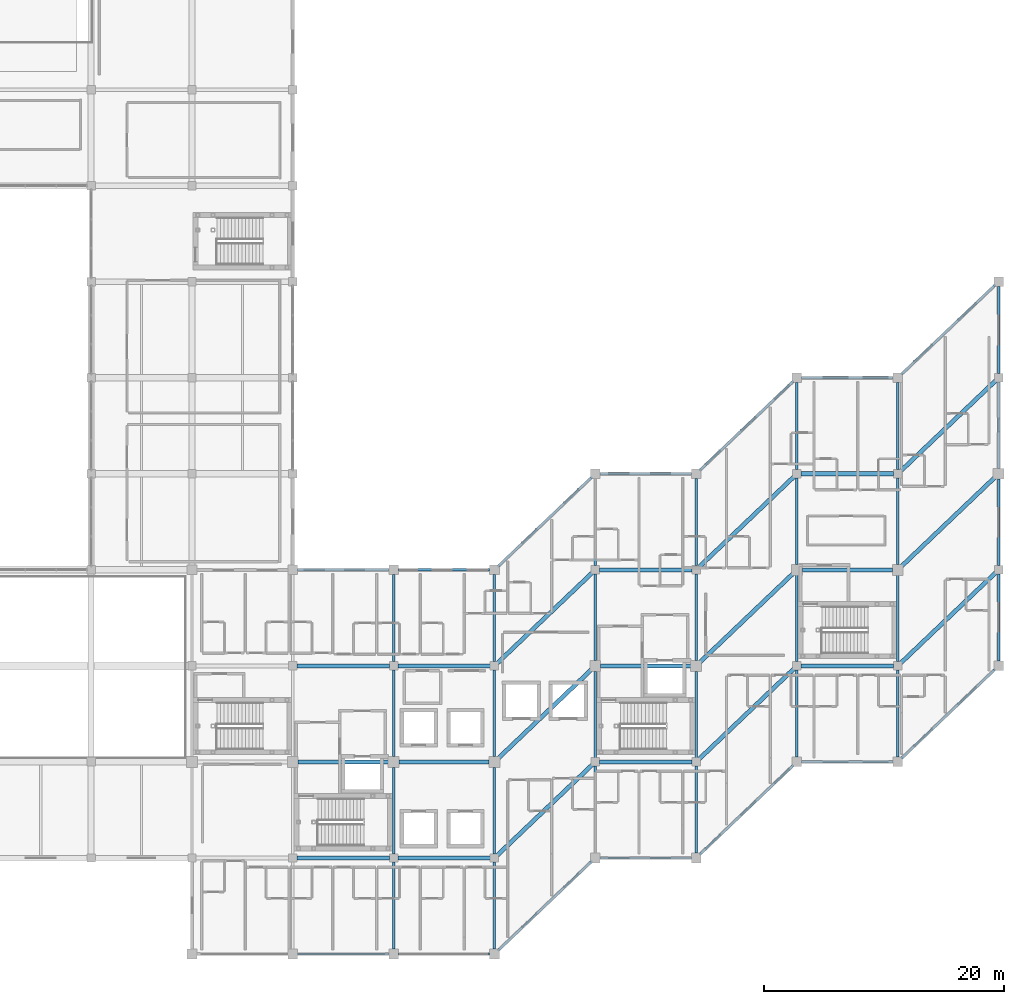
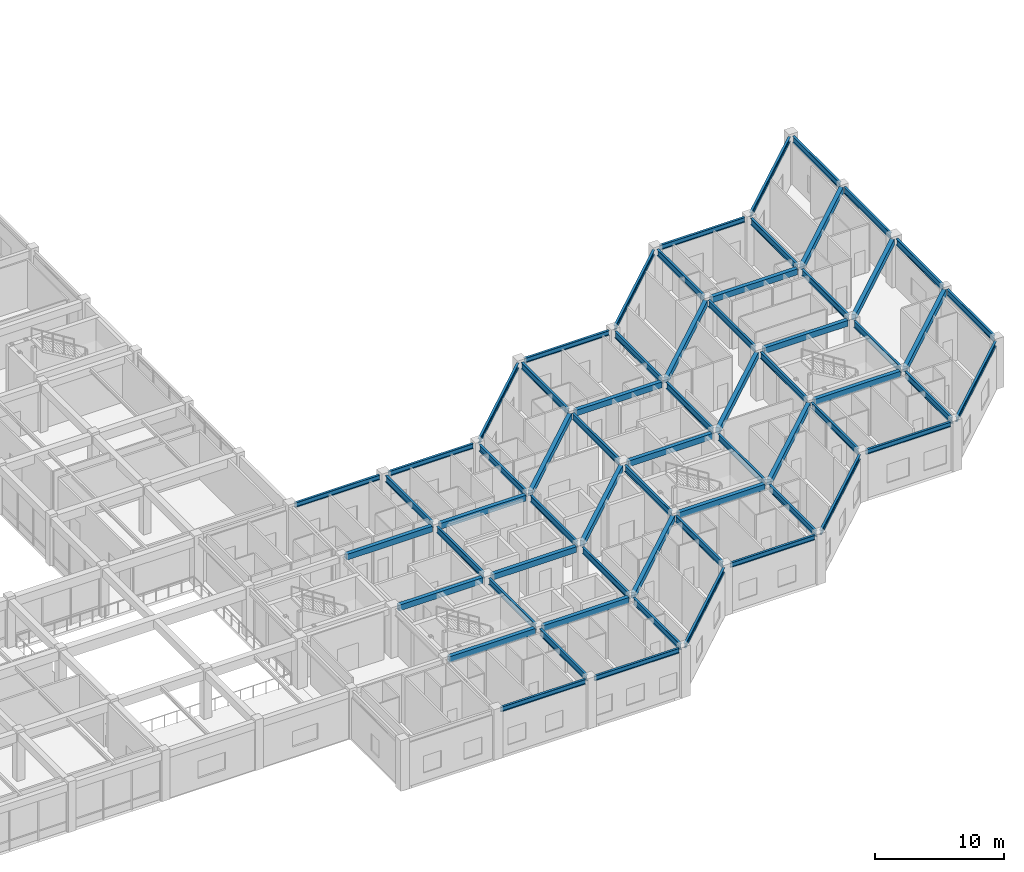
# One storey, part 41 of 76: 63 beams.
"""IFC4 building model written with IfcOpenShell, lengths in metres."""

from ifc_helpers import new_model, si_unit, direction, frame, origin, origin_2d, place, context, subcontext, project, spatial, rectangle, i_section, extrude, material, material_profile, profile_set, type_object, element, save


model = new_model("IFC4")

# Units and contexts
model_context = context("Model", 3, precision=1e-05, world=origin(), true_north=direction((0.0, 1.0)))
body_context = subcontext(model_context, "Body", "Model", "MODEL_VIEW")
ifc_project = project(units=[si_unit("LENGTHUNIT", "METRE"), si_unit("AREAUNIT", "SQUARE_METRE"), si_unit("VOLUMEUNIT", "CUBIC_METRE"), si_unit("PLANEANGLEUNIT", "RADIAN"), si_unit("MASSUNIT", "GRAM", prefix="KILO")], contexts=[model_context])

# Site, building, storey
site_placement = place(None, origin())
site = spatial("IfcSite", under=ifc_project, at=site_placement, CompositionType="ELEMENT")
building_placement = place(site_placement, origin())
building = spatial("IfcBuilding", under=site, at=building_placement, Name="Naruveol Harbour Congress Hotel", CompositionType="ELEMENT")
storey_placement = place(building_placement, frame((0.0, 0.0, 11.39990234375)))
storey = spatial("IfcBuildingStorey", under=building, at=storey_placement, Name="L02", CompositionType="ELEMENT", Elevation=11.39990234375)

# Beams
ifc_material_1 = material(Name="Concrete C40/50", Category="concrete")
ifc_material_profile_1 = material_profile(ifc_material_1, rectangle(XDim=0.35009765625, YDim=0.550048828125, at=origin_2d()), Name="RCB-350x550")
ifc_profile_set_1 = profile_set([ifc_material_profile_1], Name="Concrete C40/50")
beam_type_1 = type_object("IfcBeamType", Name="RC SECONDARY BEAM 350X550", PredefinedType="JOIST", material=ifc_profile_set_1)
beam_1_placement = place(storey_placement, frame((126.345947265625, 8.0, 4.30517578125), z_axis=(1.0, 0.0, 0.0), x_axis=(0.0, 1.0, 0.0)))
element("IfcBeam", 1, at=beam_1_placement, inside=storey, type_object=beam_type_1, Name="Hotel chord beam L03 CJ1", PredefinedType="JOIST", context=body_context, shape_type="SweptSolid", body=[
    extrude(rectangle(XDim=0.35009765625, YDim=0.550048828125, at=origin_2d()), origin(), (0.0, 0.0, 1.0), 7.7080078125),
])
beam_2_placement = place(storey_placement, frame((126.446044921875, 16.0, 4.30517578125), z_axis=(1.0, 0.0, 0.0), x_axis=(0.0, 1.0, 0.0)))
element("IfcBeam", 2, at=beam_2_placement, inside=storey, type_object=beam_type_1, Name="Hotel chord beam L03 CJ1", PredefinedType="JOIST", context=body_context, shape_type="SweptSolid", body=[
    extrude(rectangle(XDim=0.35009765625, YDim=0.550048828125, at=origin_2d()), origin(), (0.0, 0.0, 1.0), 7.508056640625),
])
for number, where, z_axis, x_axis, name in (
    (3, (126.345947265625, 24.0, 4.30517578125), (1.0, 0.0, 0.0), (0.0, 1.0, 0.0), "Hotel chord beam L03 CJ1"),
    (4, (134.74609375, 8.0, 4.30517578125), (1.0, 0.0, 0.0), (0.0, 1.0, 0.0), "Hotel chord beam L03 CJ1"),
):
    element("IfcBeam", number, at=place(storey_placement, frame(where, z_axis=z_axis, x_axis=x_axis)), inside=storey, type_object=beam_type_1, Name=name, PredefinedType="JOIST", context=body_context, shape_type="SweptSolid", body=[
        extrude(rectangle(XDim=0.35009765625, YDim=0.550048828125, at=origin_2d()), origin(), (0.0, 0.0, 1.0), 7.7080078125),
    ])
beam_3_placement = place(storey_placement, frame((134.845947265625, 16.0, 4.30517578125), z_axis=(1.0, 0.0, 0.0), x_axis=(0.0, 1.0, 0.0)))
element("IfcBeam", 5, at=beam_3_placement, inside=storey, type_object=beam_type_1, Name="Hotel chord beam L03 CJ1", PredefinedType="JOIST", context=body_context, shape_type="SweptSolid", body=[
    extrude(rectangle(XDim=0.35009765625, YDim=0.550048828125, at=origin_2d()), origin(), (0.0, 0.0, 1.0), 7.508056640625),
])
beam_4_placement = place(storey_placement, frame((134.74609375, 24.0, 4.30517578125), z_axis=(1.0, 0.0, 0.0), x_axis=(0.0, 1.0, 0.0)))
element("IfcBeam", 6, at=beam_4_placement, inside=storey, type_object=beam_type_1, Name="Hotel chord beam L03 CJ1", PredefinedType="JOIST", context=body_context, shape_type="SweptSolid", body=[
    extrude(rectangle(XDim=0.35009765625, YDim=0.550048828125, at=origin_2d()), origin(), (0.0, 0.0, 1.0), 7.7080078125),
])
beam_5_placement = place(storey_placement, frame((143.050537109375, 8.238525390625, 4.30517578125), z_axis=(0.724130479369, 0.689662996578, 0.0), x_axis=(-0.689662996578, 0.724130479369, 0.0)))
element("IfcBeam", 7, at=beam_5_placement, inside=storey, type_object=beam_type_1, Name="Hotel chord beam L03 CJ1", PredefinedType="JOIST", context=body_context, shape_type="SweptSolid", body=[
    extrude(rectangle(XDim=0.35009765625, YDim=0.550048828125, at=origin_2d()), origin(), (0.0, 0.0, 1.0), 10.908203125),
])
beam_6_placement = place(storey_placement, frame((143.123046875, 16.3076171875, 4.30517578125), z_axis=(0.724133593293, 0.689659727013, 0.0), x_axis=(-0.689659727013, 0.724133593293, 0.0)))
element("IfcBeam", 8, at=beam_6_placement, inside=storey, type_object=beam_type_1, Name="Hotel chord beam L03 CJ1", PredefinedType="JOIST", context=body_context, shape_type="SweptSolid", body=[
    extrude(rectangle(XDim=0.35009765625, YDim=0.550048828125, at=origin_2d()), origin(), (0.0, 0.0, 1.0), 10.707763671875),
])
beam_7_placement = place(storey_placement, frame((143.050537109375, 24.238525390625, 4.30517578125), z_axis=(0.724130479369, 0.689662996578, 0.0), x_axis=(-0.689662996578, 0.724130479369, 0.0)))
element("IfcBeam", 9, at=beam_7_placement, inside=storey, type_object=beam_type_1, Name="Hotel chord beam L03 CJ1", PredefinedType="JOIST", context=body_context, shape_type="SweptSolid", body=[
    extrude(rectangle(XDim=0.35009765625, YDim=0.550048828125, at=origin_2d()), origin(), (0.0, 0.0, 1.0), 10.908203125),
])
beam_8_placement = place(storey_placement, frame((151.5458984375, 16.0, 4.30517578125), z_axis=(1.0, 0.0, 0.0), x_axis=(0.0, 1.0, 0.0)))
element("IfcBeam", 10, at=beam_8_placement, inside=storey, type_object=beam_type_1, Name="Hotel chord beam L03 CJ1", PredefinedType="JOIST", context=body_context, shape_type="SweptSolid", body=[
    extrude(rectangle(XDim=0.35009765625, YDim=0.550048828125, at=origin_2d()), origin(), (0.0, 0.0, 1.0), 7.7080078125),
])
beam_9_placement = place(storey_placement, frame((151.64599609375, 24.0, 4.30517578125), z_axis=(1.0, 0.0, 0.0), x_axis=(0.0, 1.0, 0.0)))
element("IfcBeam", 11, at=beam_9_placement, inside=storey, type_object=beam_type_1, Name="Hotel chord beam L03 CJ1", PredefinedType="JOIST", context=body_context, shape_type="SweptSolid", body=[
    extrude(rectangle(XDim=0.35009765625, YDim=0.550048828125, at=origin_2d()), origin(), (0.0, 0.0, 1.0), 7.508056640625),
])
beam_10_placement = place(storey_placement, frame((151.5458984375, 32.0, 4.30517578125), z_axis=(1.0, 0.0, 0.0), x_axis=(0.0, 1.0, 0.0)))
element("IfcBeam", 12, at=beam_10_placement, inside=storey, type_object=beam_type_1, Name="Hotel chord beam L03 CJ1", PredefinedType="JOIST", context=body_context, shape_type="SweptSolid", body=[
    extrude(rectangle(XDim=0.35009765625, YDim=0.550048828125, at=origin_2d()), origin(), (0.0, 0.0, 1.0), 7.7080078125),
])
beam_11_placement = place(storey_placement, frame((159.8505859375, 16.238525390625, 4.30517578125), z_axis=(0.724130479369, 0.689662996578, 0.0), x_axis=(-0.689662996578, 0.724130479369, 0.0)))
element("IfcBeam", 13, at=beam_11_placement, inside=storey, type_object=beam_type_1, Name="Hotel chord beam L03 CJ1", PredefinedType="JOIST", context=body_context, shape_type="SweptSolid", body=[
    extrude(rectangle(XDim=0.35009765625, YDim=0.550048828125, at=origin_2d()), origin(), (0.0, 0.0, 1.0), 10.908203125),
])
beam_12_placement = place(storey_placement, frame((159.923095703125, 24.3076171875, 4.30517578125), z_axis=(0.724133593293, 0.689659727013, 0.0), x_axis=(-0.689659727013, 0.724133593293, 0.0)))
element("IfcBeam", 14, at=beam_12_placement, inside=storey, type_object=beam_type_1, Name="Hotel chord beam L03 CJ1", PredefinedType="JOIST", context=body_context, shape_type="SweptSolid", body=[
    extrude(rectangle(XDim=0.35009765625, YDim=0.550048828125, at=origin_2d()), origin(), (0.0, 0.0, 1.0), 10.707763671875),
])
beam_13_placement = place(storey_placement, frame((159.8505859375, 32.238525390625, 4.30517578125), z_axis=(0.724130479369, 0.689662996578, 0.0), x_axis=(-0.689662996578, 0.724130479369, 0.0)))
element("IfcBeam", 15, at=beam_13_placement, inside=storey, type_object=beam_type_1, Name="Hotel chord beam L03 CJ1", PredefinedType="JOIST", context=body_context, shape_type="SweptSolid", body=[
    extrude(rectangle(XDim=0.35009765625, YDim=0.550048828125, at=origin_2d()), origin(), (0.0, 0.0, 1.0), 10.908203125),
])
beam_14_placement = place(storey_placement, frame((168.345947265625, 24.0, 4.30517578125), z_axis=(1.0, 0.0, 0.0), x_axis=(0.0, 1.0, 0.0)))
element("IfcBeam", 16, at=beam_14_placement, inside=storey, type_object=beam_type_1, Name="Hotel chord beam L03 CJ1", PredefinedType="JOIST", context=body_context, shape_type="SweptSolid", body=[
    extrude(rectangle(XDim=0.35009765625, YDim=0.550048828125, at=origin_2d()), origin(), (0.0, 0.0, 1.0), 7.7080078125),
])
beam_15_placement = place(storey_placement, frame((168.446044921875, 32.0, 4.30517578125), z_axis=(1.0, 0.0, 0.0), x_axis=(0.0, 1.0, 0.0)))
element("IfcBeam", 17, at=beam_15_placement, inside=storey, type_object=beam_type_1, Name="Hotel chord beam L03 CJ1", PredefinedType="JOIST", context=body_context, shape_type="SweptSolid", body=[
    extrude(rectangle(XDim=0.35009765625, YDim=0.550048828125, at=origin_2d()), origin(), (0.0, 0.0, 1.0), 7.508056640625),
])
beam_16_placement = place(storey_placement, frame((168.345947265625, 40.0, 4.30517578125), z_axis=(1.0, 0.0, 0.0), x_axis=(0.0, 1.0, 0.0)))
element("IfcBeam", 18, at=beam_16_placement, inside=storey, type_object=beam_type_1, Name="Hotel chord beam L03 CJ1", PredefinedType="JOIST", context=body_context, shape_type="SweptSolid", body=[
    extrude(rectangle(XDim=0.35009765625, YDim=0.550048828125, at=origin_2d()), origin(), (0.0, 0.0, 1.0), 7.7080078125),
])
beam_17_placement = place(storey_placement, frame((176.650634765625, 24.238525390625, 4.30517578125), z_axis=(0.724119833693, 0.689674174123, 0.0), x_axis=(-0.689674174123, 0.724119833693, 0.0)))
element("IfcBeam", 19, at=beam_17_placement, inside=storey, type_object=beam_type_1, Name="Hotel chord beam L03 CJ1", PredefinedType="JOIST", context=body_context, shape_type="SweptSolid", body=[
    extrude(rectangle(XDim=0.35009765625, YDim=0.550048828125, at=origin_2d()), origin(), (0.0, 0.0, 1.0), 10.907958984375),
])
beam_18_placement = place(storey_placement, frame((176.722900390625, 32.3076171875, 4.30517578125), z_axis=(0.724144437485, 0.689648340576, 0.0), x_axis=(-0.689648340576, 0.724144437485, 0.0)))
element("IfcBeam", 20, at=beam_18_placement, inside=storey, type_object=beam_type_1, Name="Hotel chord beam L03 CJ1", PredefinedType="JOIST", context=body_context, shape_type="SweptSolid", body=[
    extrude(rectangle(XDim=0.35009765625, YDim=0.550048828125, at=origin_2d()), origin(), (0.0, 0.0, 1.0), 10.7080078125),
])
beam_19_placement = place(storey_placement, frame((176.650634765625, 40.238525390625, 4.30517578125), z_axis=(0.724119833693, 0.689674174123, 0.0), x_axis=(-0.689674174123, 0.724119833693, 0.0)))
element("IfcBeam", 21, at=beam_19_placement, inside=storey, type_object=beam_type_1, Name="Hotel chord beam L03 CJ1", PredefinedType="JOIST", context=body_context, shape_type="SweptSolid", body=[
    extrude(rectangle(XDim=0.35009765625, YDim=0.550048828125, at=origin_2d()), origin(), (0.0, 0.0, 1.0), 10.907958984375),
])
ifc_material_2 = material(Name="Steel SN490", Category="steel")
ifc_material_profile_2 = material_profile(ifc_material_2, i_section(OverallWidth=0.199951171875, OverallDepth=0.60009765625, WebThickness=0.010986328125, FlangeThickness=0.01708984375, at=origin_2d()), Name="H-600x200x11x17")
ifc_profile_set_2 = profile_set([ifc_material_profile_2], Name="Steel SN490")
beam_type_2 = type_object("IfcBeamType", Name="STEEL PRIMARY FLOOR BEAM H600", PredefinedType="BEAM", material=ifc_profile_set_2)
beam_20_placement = place(storey_placement, frame((134.39990234375, 0.39599609375, 4.280029296875), z_axis=(0.0, 1.0, 0.0), x_axis=(-1.0, 0.0, 0.0)))
element("IfcBeam", 22, at=beam_20_placement, inside=storey, type_object=beam_type_2, Name="Hotel transverse beam L03 SB1", PredefinedType="BEAM", context=body_context, shape_type="SweptSolid", body=[
    extrude(i_section(OverallWidth=0.199951171875, OverallDepth=0.60009765625, WebThickness=0.010986328125, FlangeThickness=0.01708984375, at=origin_2d()), origin(), (0.0, 0.0, 1.0), 7.258056640625),
])
for number, where, z_axis, x_axis, name in (
    (23, (134.39990234375, 8.345947265625, 4.280029296875), (0.0, 1.0, 0.0), (-1.0, 0.0, 0.0), "Hotel transverse beam L03 SB1"),
    (24, (134.39990234375, 16.446044921875, 4.280029296875), (0.0, 1.0, 0.0), (-1.0, 0.0, 0.0), "Hotel transverse beam L03 SB1"),
):
    element("IfcBeam", number, at=place(storey_placement, frame(where, z_axis=z_axis, x_axis=x_axis)), inside=storey, type_object=beam_type_2, Name=name, PredefinedType="BEAM", context=body_context, shape_type="SweptSolid", body=[
        extrude(i_section(OverallWidth=0.199951171875, OverallDepth=0.60009765625, WebThickness=0.010986328125, FlangeThickness=0.01708984375, at=origin_2d()), origin(), (0.0, 0.0, 1.0), 7.2080078125),
    ])
for number, where, z_axis, x_axis, name in (
    (25, (134.39990234375, 24.345947265625, 4.280029296875), (0.0, 1.0, 0.0), (-1.0, 0.0, 0.0), "Hotel transverse beam L03 SB1"),
    (26, (142.800048828125, 0.39599609375, 4.280029296875), (0.0, 1.0, 0.0), (-1.0, 0.0, 0.0), "Hotel transverse beam L03 SB1"),
):
    element("IfcBeam", number, at=place(storey_placement, frame(where, z_axis=z_axis, x_axis=x_axis)), inside=storey, type_object=beam_type_2, Name=name, PredefinedType="BEAM", context=body_context, shape_type="SweptSolid", body=[
        extrude(i_section(OverallWidth=0.199951171875, OverallDepth=0.60009765625, WebThickness=0.010986328125, FlangeThickness=0.01708984375, at=origin_2d()), origin(), (0.0, 0.0, 1.0), 7.258056640625),
    ])
for number, where, z_axis, x_axis, name in (
    (27, (142.800048828125, 8.345947265625, 4.280029296875), (0.0, 1.0, 0.0), (-1.0, 0.0, 0.0), "Hotel transverse beam L03 SB1"),
    (28, (142.800048828125, 16.446044921875, 4.280029296875), (0.0, 1.0, 0.0), (-1.0, 0.0, 0.0), "Hotel transverse beam L03 SB1"),
):
    element("IfcBeam", number, at=place(storey_placement, frame(where, z_axis=z_axis, x_axis=x_axis)), inside=storey, type_object=beam_type_2, Name=name, PredefinedType="BEAM", context=body_context, shape_type="SweptSolid", body=[
        extrude(i_section(OverallWidth=0.199951171875, OverallDepth=0.60009765625, WebThickness=0.010986328125, FlangeThickness=0.01708984375, at=origin_2d()), origin(), (0.0, 0.0, 1.0), 7.2080078125),
    ])
for number, where, z_axis, x_axis, name in (
    (29, (142.800048828125, 24.345947265625, 4.280029296875), (0.0, 1.0, 0.0), (-1.0, 0.0, 0.0), "Hotel transverse beam L03 SB1"),
    (30, (151.199951171875, 8.39599609375, 4.280029296875), (0.0, 1.0, 0.0), (-1.0, 0.0, 0.0), "Hotel transverse beam L03 SB1"),
):
    element("IfcBeam", number, at=place(storey_placement, frame(where, z_axis=z_axis, x_axis=x_axis)), inside=storey, type_object=beam_type_2, Name=name, PredefinedType="BEAM", context=body_context, shape_type="SweptSolid", body=[
        extrude(i_section(OverallWidth=0.199951171875, OverallDepth=0.60009765625, WebThickness=0.010986328125, FlangeThickness=0.01708984375, at=origin_2d()), origin(), (0.0, 0.0, 1.0), 7.258056640625),
    ])
for number, where, z_axis, x_axis, name in (
    (31, (151.199951171875, 16.345947265625, 4.280029296875), (0.0, 1.0, 0.0), (-1.0, 0.0, 0.0), "Hotel transverse beam L03 SB1"),
    (32, (151.199951171875, 24.446044921875, 4.280029296875), (0.0, 1.0, 0.0), (-1.0, 0.0, 0.0), "Hotel transverse beam L03 SB1"),
):
    element("IfcBeam", number, at=place(storey_placement, frame(where, z_axis=z_axis, x_axis=x_axis)), inside=storey, type_object=beam_type_2, Name=name, PredefinedType="BEAM", context=body_context, shape_type="SweptSolid", body=[
        extrude(i_section(OverallWidth=0.199951171875, OverallDepth=0.60009765625, WebThickness=0.010986328125, FlangeThickness=0.01708984375, at=origin_2d()), origin(), (0.0, 0.0, 1.0), 7.2080078125),
    ])
for number, where, z_axis, x_axis, name in (
    (33, (151.199951171875, 32.345947265625, 4.280029296875), (0.0, 1.0, 0.0), (-1.0, 0.0, 0.0), "Hotel transverse beam L03 SB1"),
    (34, (159.60009765625, 8.39599609375, 4.280029296875), (0.0, 1.0, 0.0), (-1.0, 0.0, 0.0), "Hotel transverse beam L03 SB1"),
):
    element("IfcBeam", number, at=place(storey_placement, frame(where, z_axis=z_axis, x_axis=x_axis)), inside=storey, type_object=beam_type_2, Name=name, PredefinedType="BEAM", context=body_context, shape_type="SweptSolid", body=[
        extrude(i_section(OverallWidth=0.199951171875, OverallDepth=0.60009765625, WebThickness=0.010986328125, FlangeThickness=0.01708984375, at=origin_2d()), origin(), (0.0, 0.0, 1.0), 7.258056640625),
    ])
for number, where, z_axis, x_axis, name in (
    (35, (159.60009765625, 16.345947265625, 4.280029296875), (0.0, 1.0, 0.0), (-1.0, 0.0, 0.0), "Hotel transverse beam L03 SB1"),
    (36, (159.60009765625, 24.446044921875, 4.280029296875), (0.0, 1.0, 0.0), (-1.0, 0.0, 0.0), "Hotel transverse beam L03 SB1"),
):
    element("IfcBeam", number, at=place(storey_placement, frame(where, z_axis=z_axis, x_axis=x_axis)), inside=storey, type_object=beam_type_2, Name=name, PredefinedType="BEAM", context=body_context, shape_type="SweptSolid", body=[
        extrude(i_section(OverallWidth=0.199951171875, OverallDepth=0.60009765625, WebThickness=0.010986328125, FlangeThickness=0.01708984375, at=origin_2d()), origin(), (0.0, 0.0, 1.0), 7.2080078125),
    ])
for number, where, z_axis, x_axis, name in (
    (37, (159.60009765625, 32.345947265625, 4.280029296875), (0.0, 1.0, 0.0), (-1.0, 0.0, 0.0), "Hotel transverse beam L03 SB1"),
    (38, (168.0, 16.39599609375, 4.280029296875), (0.0, 1.0, 0.0), (-1.0, 0.0, 0.0), "Hotel transverse beam L03 SB1"),
):
    element("IfcBeam", number, at=place(storey_placement, frame(where, z_axis=z_axis, x_axis=x_axis)), inside=storey, type_object=beam_type_2, Name=name, PredefinedType="BEAM", context=body_context, shape_type="SweptSolid", body=[
        extrude(i_section(OverallWidth=0.199951171875, OverallDepth=0.60009765625, WebThickness=0.010986328125, FlangeThickness=0.01708984375, at=origin_2d()), origin(), (0.0, 0.0, 1.0), 7.258056640625),
    ])
for number, where, z_axis, x_axis, name in (
    (39, (168.0, 24.345947265625, 4.280029296875), (0.0, 1.0, 0.0), (-1.0, 0.0, 0.0), "Hotel transverse beam L03 SB1"),
    (40, (168.0, 32.446044921875, 4.280029296875), (0.0, 1.0, 0.0), (-1.0, 0.0, 0.0), "Hotel transverse beam L03 SB1"),
):
    element("IfcBeam", number, at=place(storey_placement, frame(where, z_axis=z_axis, x_axis=x_axis)), inside=storey, type_object=beam_type_2, Name=name, PredefinedType="BEAM", context=body_context, shape_type="SweptSolid", body=[
        extrude(i_section(OverallWidth=0.199951171875, OverallDepth=0.60009765625, WebThickness=0.010986328125, FlangeThickness=0.01708984375, at=origin_2d()), origin(), (0.0, 0.0, 1.0), 7.2080078125),
    ])
for number, where, z_axis, x_axis, name in (
    (41, (168.0, 40.345947265625, 4.280029296875), (0.0, 1.0, 0.0), (-1.0, 0.0, 0.0), "Hotel transverse beam L03 SB1"),
    (42, (176.39990234375, 16.39599609375, 4.280029296875), (0.0, 1.0, 0.0), (-1.0, 0.0, 0.0), "Hotel transverse beam L03 SB1"),
):
    element("IfcBeam", number, at=place(storey_placement, frame(where, z_axis=z_axis, x_axis=x_axis)), inside=storey, type_object=beam_type_2, Name=name, PredefinedType="BEAM", context=body_context, shape_type="SweptSolid", body=[
        extrude(i_section(OverallWidth=0.199951171875, OverallDepth=0.60009765625, WebThickness=0.010986328125, FlangeThickness=0.01708984375, at=origin_2d()), origin(), (0.0, 0.0, 1.0), 7.258056640625),
    ])
for number, where, z_axis, x_axis, name in (
    (43, (176.39990234375, 24.345947265625, 4.280029296875), (0.0, 1.0, 0.0), (-1.0, 0.0, 0.0), "Hotel transverse beam L03 SB1"),
    (44, (176.39990234375, 32.446044921875, 4.280029296875), (0.0, 1.0, 0.0), (-1.0, 0.0, 0.0), "Hotel transverse beam L03 SB1"),
):
    element("IfcBeam", number, at=place(storey_placement, frame(where, z_axis=z_axis, x_axis=x_axis)), inside=storey, type_object=beam_type_2, Name=name, PredefinedType="BEAM", context=body_context, shape_type="SweptSolid", body=[
        extrude(i_section(OverallWidth=0.199951171875, OverallDepth=0.60009765625, WebThickness=0.010986328125, FlangeThickness=0.01708984375, at=origin_2d()), origin(), (0.0, 0.0, 1.0), 7.2080078125),
    ])
for number, where, z_axis, x_axis, name in (
    (45, (176.39990234375, 40.345947265625, 4.280029296875), (0.0, 1.0, 0.0), (-1.0, 0.0, 0.0), "Hotel transverse beam L03 SB1"),
    (46, (184.800048828125, 24.39599609375, 4.280029296875), (0.0, 1.0, 0.0), (-1.0, 0.0, 0.0), "Hotel transverse beam L03 SB1"),
):
    element("IfcBeam", number, at=place(storey_placement, frame(where, z_axis=z_axis, x_axis=x_axis)), inside=storey, type_object=beam_type_2, Name=name, PredefinedType="BEAM", context=body_context, shape_type="SweptSolid", body=[
        extrude(i_section(OverallWidth=0.199951171875, OverallDepth=0.60009765625, WebThickness=0.010986328125, FlangeThickness=0.01708984375, at=origin_2d()), origin(), (0.0, 0.0, 1.0), 7.258056640625),
    ])
for number, where, z_axis, x_axis, name in (
    (47, (184.800048828125, 32.345947265625, 4.280029296875), (0.0, 1.0, 0.0), (-1.0, 0.0, 0.0), "Hotel transverse beam L03 SB1"),
    (48, (184.800048828125, 40.446044921875, 4.280029296875), (0.0, 1.0, 0.0), (-1.0, 0.0, 0.0), "Hotel transverse beam L03 SB1"),
):
    element("IfcBeam", number, at=place(storey_placement, frame(where, z_axis=z_axis, x_axis=x_axis)), inside=storey, type_object=beam_type_2, Name=name, PredefinedType="BEAM", context=body_context, shape_type="SweptSolid", body=[
        extrude(i_section(OverallWidth=0.199951171875, OverallDepth=0.60009765625, WebThickness=0.010986328125, FlangeThickness=0.01708984375, at=origin_2d()), origin(), (0.0, 0.0, 1.0), 7.2080078125),
    ])
beam_21_placement = place(storey_placement, frame((184.800048828125, 48.345947265625, 4.280029296875), z_axis=(0.0, 1.0, 0.0), x_axis=(-1.0, 0.0, 0.0)))
element("IfcBeam", 49, at=beam_21_placement, inside=storey, type_object=beam_type_2, Name="Hotel transverse beam L03 SB1", PredefinedType="BEAM", context=body_context, shape_type="SweptSolid", body=[
    extrude(i_section(OverallWidth=0.199951171875, OverallDepth=0.60009765625, WebThickness=0.010986328125, FlangeThickness=0.01708984375, at=origin_2d()), origin(), (0.0, 0.0, 1.0), 7.258056640625),
])
ifc_material_3 = material(Name="Steel SN490", Category="steel")
ifc_material_profile_3 = material_profile(ifc_material_3, i_section(OverallWidth=0.199951171875, OverallDepth=0.449951171875, WebThickness=0.009033203125, FlangeThickness=0.013916015625, at=origin_2d()), Name="H-450x200x9x14")
ifc_profile_set_3 = profile_set([ifc_material_profile_3], Name="Steel SN490")
beam_type_3 = type_object("IfcBeamType", Name="STEEL SPANDREL EDGE BEAM H450", PredefinedType="SPANDREL", material=ifc_profile_set_3)
for number, where, z_axis, x_axis, name in (
    (50, (126.39599609375, 0.0, 4.35498046875), (1.0, 0.0, 0.0), (0.0, 1.0, 0.0), "Hotel chord beam L03 SPB2"),
    (51, (126.39599609375, 32.0, 4.3251953125), (1.0, 0.0, 0.0), (0.0, 1.0, 0.0), "Hotel chord beam L03 SPB2"),
):
    element("IfcBeam", number, at=place(storey_placement, frame(where, z_axis=z_axis, x_axis=x_axis)), inside=storey, type_object=beam_type_3, Name=name, PredefinedType="SPANDREL", context=body_context, shape_type="SweptSolid", body=[
        extrude(i_section(OverallWidth=0.199951171875, OverallDepth=0.449951171875, WebThickness=0.009033203125, FlangeThickness=0.013916015625, at=origin_2d()), origin(), (0.0, 0.0, 1.0), 7.60791015625),
    ])
for number, where, z_axis, x_axis, name in (
    (52, (134.7958984375, 0.0, 4.35498046875), (1.0, 0.0, 0.0), (0.0, 1.0, 0.0), "Hotel chord beam L03 SPB2"),
    (53, (134.7958984375, 32.0, 4.35498046875), (1.0, 0.0, 0.0), (0.0, 1.0, 0.0), "Hotel chord beam L03 SPB2"),
):
    element("IfcBeam", number, at=place(storey_placement, frame(where, z_axis=z_axis, x_axis=x_axis)), inside=storey, type_object=beam_type_3, Name=name, PredefinedType="SPANDREL", context=body_context, shape_type="SweptSolid", body=[
        extrude(i_section(OverallWidth=0.199951171875, OverallDepth=0.449951171875, WebThickness=0.009033203125, FlangeThickness=0.013916015625, at=origin_2d()), origin(), (0.0, 0.0, 1.0), 7.608154296875),
    ])
for number, where, z_axis, x_axis, name in (
    (54, (143.0869140625, 0.273193359375, 4.35498046875), (0.724132558929, 0.68966081308, 0.0), (-0.68966081308, 0.724132558929, 0.0), "Hotel chord beam L03 SPB2"),
    (55, (143.0869140625, 32.273193359375, 4.35498046875), (0.724132558929, 0.68966081308, 0.0), (-0.68966081308, 0.724132558929, 0.0), "Hotel chord beam L03 SPB2"),
):
    element("IfcBeam", number, at=place(storey_placement, frame(where, z_axis=z_axis, x_axis=x_axis)), inside=storey, type_object=beam_type_3, Name=name, PredefinedType="SPANDREL", context=body_context, shape_type="SweptSolid", body=[
        extrude(i_section(OverallWidth=0.199951171875, OverallDepth=0.449951171875, WebThickness=0.009033203125, FlangeThickness=0.013916015625, at=origin_2d()), origin(), (0.0, 0.0, 1.0), 10.8076171875),
    ])
for number, where, z_axis, x_axis, name in (
    (56, (151.595947265625, 8.0, 4.35498046875), (1.0, 0.0, 0.0), (0.0, 1.0, 0.0), "Hotel chord beam L03 SPB2"),
    (57, (151.595947265625, 40.0, 4.35498046875), (1.0, 0.0, 0.0), (0.0, 1.0, 0.0), "Hotel chord beam L03 SPB2"),
):
    element("IfcBeam", number, at=place(storey_placement, frame(where, z_axis=z_axis, x_axis=x_axis)), inside=storey, type_object=beam_type_3, Name=name, PredefinedType="SPANDREL", context=body_context, shape_type="SweptSolid", body=[
        extrude(i_section(OverallWidth=0.199951171875, OverallDepth=0.449951171875, WebThickness=0.009033203125, FlangeThickness=0.013916015625, at=origin_2d()), origin(), (0.0, 0.0, 1.0), 7.608154296875),
    ])
for number, where, z_axis, x_axis, name in (
    (58, (159.88671875, 8.273193359375, 4.35498046875), (0.724143303008, 0.689649531798, 0.0), (-0.689649531798, 0.724143303008, 0.0), "Hotel chord beam L03 SPB2"),
    (59, (159.88671875, 40.273193359375, 4.35498046875), (0.724143303008, 0.689649531798, 0.0), (-0.689649531798, 0.724143303008, 0.0), "Hotel chord beam L03 SPB2"),
):
    element("IfcBeam", number, at=place(storey_placement, frame(where, z_axis=z_axis, x_axis=x_axis)), inside=storey, type_object=beam_type_3, Name=name, PredefinedType="SPANDREL", context=body_context, shape_type="SweptSolid", body=[
        extrude(i_section(OverallWidth=0.199951171875, OverallDepth=0.449951171875, WebThickness=0.009033203125, FlangeThickness=0.013916015625, at=origin_2d()), origin(), (0.0, 0.0, 1.0), 10.807861328125),
    ])
for number, where, z_axis, x_axis, name in (
    (60, (168.39599609375, 16.0, 4.35498046875), (1.0, 0.0, 0.0), (0.0, 1.0, 0.0), "Hotel chord beam L03 SPB2"),
    (61, (168.39599609375, 48.0, 4.35498046875), (1.0, 0.0, 0.0), (0.0, 1.0, 0.0), "Hotel chord beam L03 SPB2"),
):
    element("IfcBeam", number, at=place(storey_placement, frame(where, z_axis=z_axis, x_axis=x_axis)), inside=storey, type_object=beam_type_3, Name=name, PredefinedType="SPANDREL", context=body_context, shape_type="SweptSolid", body=[
        extrude(i_section(OverallWidth=0.199951171875, OverallDepth=0.449951171875, WebThickness=0.009033203125, FlangeThickness=0.013916015625, at=origin_2d()), origin(), (0.0, 0.0, 1.0), 7.60791015625),
    ])
for number, where, z_axis, x_axis, name in (
    (62, (176.686767578125, 16.273193359375, 4.35498046875), (0.724143303008, 0.689649531798, 0.0), (-0.689649531798, 0.724143303008, 0.0), "Hotel chord beam L03 SPB2"),
    (63, (176.686767578125, 48.273193359375, 4.35498046875), (0.724143303008, 0.689649531798, 0.0), (-0.689649531798, 0.724143303008, 0.0), "Hotel chord beam L03 SPB2"),
):
    element("IfcBeam", number, at=place(storey_placement, frame(where, z_axis=z_axis, x_axis=x_axis)), inside=storey, type_object=beam_type_3, Name=name, PredefinedType="SPANDREL", context=body_context, shape_type="SweptSolid", body=[
        extrude(i_section(OverallWidth=0.199951171875, OverallDepth=0.449951171875, WebThickness=0.009033203125, FlangeThickness=0.013916015625, at=origin_2d()), origin(), (0.0, 0.0, 1.0), 10.807861328125),
    ])

save(model, "model.ifc")
